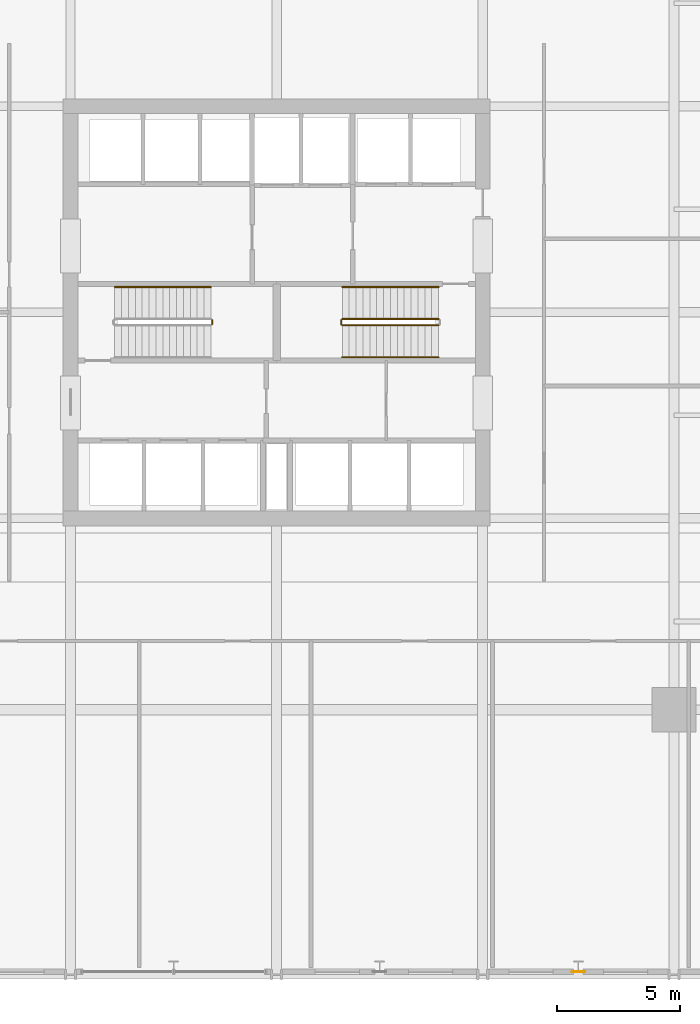
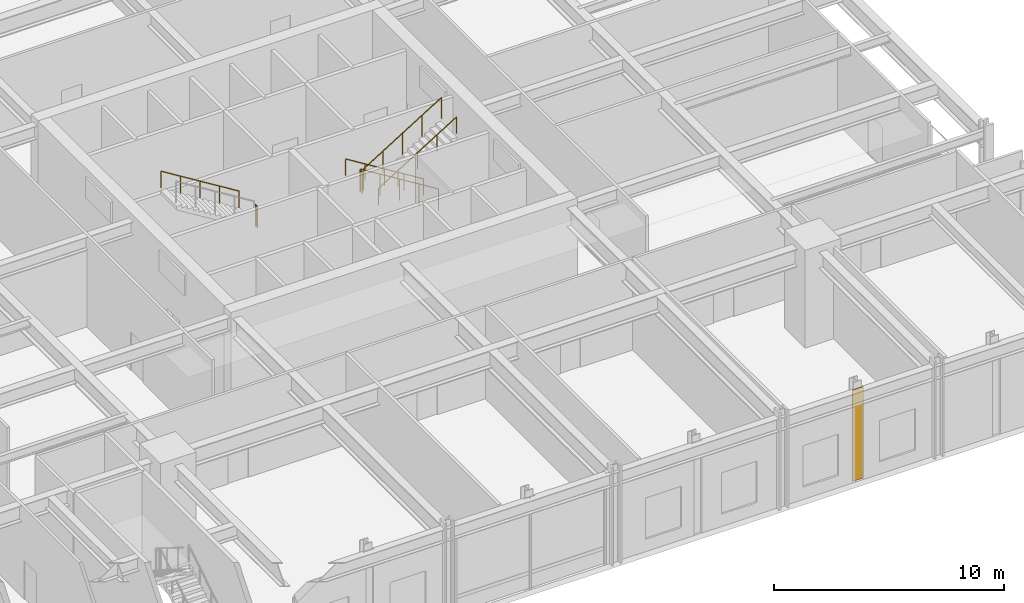
# One storey, part 17 of 21: 7 railings, 1 covering.
"""IFC4 building model written with IfcOpenShell, lengths in metres."""

import ifcopenshell
import ifcopenshell.guid

model = None  # the IFC model being written
_history = None  # IfcOwnerHistory: only IFC2X3 demands one
_inside = {}  # id of a spatial element -> (the spatial element, [elements in it])
_under = {}  # id of a project, library or spatial element -> (it, [spatial elements below it])
_declared = {}  # id of a project -> (the project, [libraries it declares])
_typed = {}  # id of a type object -> (the type object, [elements of that type])
_made_of = {}  # id of a material, layer set ... -> (it, [elements and type objects made of it])


def new_model(schema):
    """Start an empty IFC model of exactly this schema.

    Asked for "IFC4X3", IfcOpenShell would pick the latest addendum, in which some entities
    have other attributes; the version numbers below select the first issue.
    IFC2X3 requires an IfcOwnerHistory on every rooted entity: one is made here for all.
    """
    global model, _history
    if schema == "IFC4X3":
        model = ifcopenshell.file(schema_version=(4, 3, 0, 0))
    else:
        model = ifcopenshell.file(schema=schema)
    _inside.clear()
    _under.clear()
    _declared.clear()
    _typed.clear()
    _made_of.clear()
    _history = None
    if model.schema == "IFC2X3":
        org = make("IfcOrganization", Name="unknown")
        user = make(
            "IfcPersonAndOrganization",
            ThePerson=make("IfcPerson", FamilyName="unknown"),
            TheOrganization=org,
        )
        app = make(
            "IfcApplication",
            ApplicationDeveloper=org,
            Version="unknown",
            ApplicationFullName="unknown",
            ApplicationIdentifier="unknown",
        )
        _history = make(
            "IfcOwnerHistory",
            OwningUser=user,
            OwningApplication=app,
            ChangeAction="ADDED",
            CreationDate=0,
        )
    return model


def make(cls, **values):
    """One entity of the class cls with the attributes given. An attribute that is None is left unset."""
    return model.create_entity(
        cls, **{name: value for name, value in values.items() if value is not None}
    )


def rooted(cls, **values):
    """An entity with a GlobalId (a new one), such as an element, a storey or a relation."""
    return make(cls, GlobalId=ifcopenshell.guid.new(), OwnerHistory=_history, **values)


def si_unit(unit_type, name, prefix=None):
    """IfcSIUnit, for example si_unit("LENGTHUNIT", "METRE", prefix="MILLI")."""
    return make("IfcSIUnit", UnitType=unit_type, Prefix=prefix, Name=name)


def assignment(units):
    """IfcUnitAssignment: the units of a project."""
    return None if units is None else make("IfcUnitAssignment", Units=units)


def point(xyz):
    """IfcCartesianPoint."""
    return None if xyz is None else make("IfcCartesianPoint", Coordinates=xyz)


def direction(xyz):
    """IfcDirection."""
    return None if xyz is None else make("IfcDirection", DirectionRatios=xyz)


def frame(location, z_axis=None, x_axis=None):
    """IfcAxis2Placement3D, a coordinate frame: its origin and axes. An axis left out is left unset."""
    return make(
        "IfcAxis2Placement3D",
        Location=point(location),
        Axis=direction(z_axis),
        RefDirection=direction(x_axis),
    )


def frame_2d(location, x_axis=None):
    """IfcAxis2Placement2D, a coordinate frame in the plane: its origin and x axis."""
    return make(
        "IfcAxis2Placement2D", Location=point(location), RefDirection=direction(x_axis)
    )


def origin():
    """The frame at (0, 0, 0) with its axes left unset."""
    return frame((0.0, 0.0, 0.0))


def origin_2d():
    """The frame at (0, 0) in the plane with its x axis left unset."""
    return frame_2d((0.0, 0.0))


def place(relative_to, where):
    """IfcLocalPlacement: puts the frame where relative to a parent placement (None: the world)."""
    return make(
        "IfcLocalPlacement", PlacementRelTo=relative_to, RelativePlacement=where
    )


def context(
    kind, dimensions, precision=None, world=None, true_north=None, identifier=None
):
    """IfcGeometricRepresentationContext, for example the 3D "Model" context."""
    return make(
        "IfcGeometricRepresentationContext",
        ContextIdentifier=identifier,
        ContextType=kind,
        CoordinateSpaceDimension=dimensions,
        Precision=precision,
        WorldCoordinateSystem=world,
        TrueNorth=true_north,
    )


def subcontext(parent, identifier, kind, view, scale=None):
    """IfcGeometricRepresentationSubContext, for example "Body" below "Model"."""
    return make(
        "IfcGeometricRepresentationSubContext",
        ContextIdentifier=identifier,
        ContextType=kind,
        ParentContext=parent,
        TargetScale=scale,
        TargetView=view,
    )


def project(units=None, contexts=None):
    """IfcProject with its units and contexts."""
    return rooted(
        "IfcProject",
        Name="project",
        RepresentationContexts=contexts,
        UnitsInContext=assignment(units),
    )


def spatial(cls, under=None, at=None, **own):
    """A site, building, storey or space (cls), placed at a placement, below another one or the project."""
    s = rooted(cls, ObjectPlacement=at, **own)
    if under is not None:
        _under.setdefault(under.id(), (under, []))[1].append(s)
    return s


def profile(cls, at=None, kind="AREA", **sizes):
    """A parametric profile (cls). Its sizes go by their IFC names, for example OverallWidth=200.0."""
    return make(cls, ProfileType=kind, Position=at, **sizes)


def rectangle(**sizes):
    """IfcRectangleProfileDef."""
    return profile("IfcRectangleProfileDef", **sizes)


def circle(**sizes):
    """IfcCircleProfileDef."""
    return profile("IfcCircleProfileDef", **sizes)


def extrude(swept, where, along, depth):
    """IfcExtrudedAreaSolid: the profile swept, set in the frame where, extruded along a direction by depth."""
    return make(
        "IfcExtrudedAreaSolid",
        SweptArea=swept,
        Position=where,
        ExtrudedDirection=direction(along),
        Depth=depth,
    )


def shape(context_of_items, identifier, shape_type, items):
    """IfcShapeRepresentation: the items that make up one representation, for example the "Body"."""
    return make(
        "IfcShapeRepresentation",
        ContextOfItems=context_of_items,
        RepresentationIdentifier=identifier,
        RepresentationType=shape_type,
        Items=items,
    )


def material(Name=None, Category=None):
    """IfcMaterial."""
    return make("IfcMaterial", Name=Name, Category=Category)


def layer(
    of_material, thickness, ventilated=None, Name=None, Category=None, Priority=None
):
    """IfcMaterialLayer: one layer of a wall or slab, of a material (None: an air gap)."""
    return make(
        "IfcMaterialLayer",
        Material=of_material,
        LayerThickness=thickness,
        IsVentilated=ventilated,
        Name=Name,
        Category=Category,
        Priority=Priority,
    )


def layer_set(layers, Name=None):
    """IfcMaterialLayerSet."""
    return make("IfcMaterialLayerSet", MaterialLayers=layers, LayerSetName=Name)


def made_of(thing, what):
    """Note that an element or type object is made of a material, layer set ...; save() writes the relation."""
    if what is not None:
        _made_of.setdefault(what.id(), (what, []))[1].append(thing)
    return thing


def type_object(cls, material=None, **own):
    """A type object (cls), such as IfcWallType, which elements share."""
    return made_of(rooted(cls, **own), material)


def element(
    cls,
    number,
    at=None,
    inside=None,
    cuts=None,
    type_object=None,
    material=None,
    context=None,
    identifier="Body",
    shape_type=None,
    held_by="IfcProductDefinitionShape",
    body=None,
    shapes=None,
    **own,
):
    """One element of the class cls, such as IfcWall. Its Tag is "e" and its number.

    at: its placement. inside: the storey or other place that contains it. cuts: it is an
    opening in that element (IfcRelVoidsElement). A single representation is given by context,
    identifier, shape_type and body (its items); several are given by shapes. held_by: the class
    of the entity that holds the representations. save() writes the other relations.
    """
    e = rooted(cls, Tag="e%d" % number, ObjectPlacement=at, **own)
    if body is not None:
        shapes = [shape(context, identifier, shape_type, body)]
    if shapes is not None:
        e.Representation = make(held_by, Representations=shapes)
    if inside is not None:
        _inside.setdefault(inside.id(), (inside, []))[1].append(e)
    if cuts is not None:
        rooted(
            "IfcRelVoidsElement", RelatingBuildingElement=cuts, RelatedOpeningElement=e
        )
    if type_object is not None:
        _typed.setdefault(type_object.id(), (type_object, []))[1].append(e)
    return made_of(e, material)


def aggregate(whole, parts):
    """IfcRelAggregates: a whole, such as a stair, and the parts it consists of."""
    return rooted("IfcRelAggregates", RelatingObject=whole, RelatedObjects=parts)


def save(model, path):
    """Write the relations noted so far, then the file.

    IfcRelAggregates (storeys below a building ...), IfcRelContainedInSpatialStructure (elements
    in a storey), IfcRelDefinesByType, IfcRelAssociatesMaterial and IfcRelDeclares: one each for
    every whole, place, type object, material and project.
    """
    for whole, parts in _under.values():
        aggregate(whole, parts)
    for where, things in _inside.values():
        rooted(
            "IfcRelContainedInSpatialStructure",
            RelatedElements=things,
            RelatingStructure=where,
        )
    for kind, things in _typed.values():
        rooted("IfcRelDefinesByType", RelatedObjects=things, RelatingType=kind)
    for what, things in _made_of.values():
        rooted("IfcRelAssociatesMaterial", RelatedObjects=things, RelatingMaterial=what)
    for by, libraries in _declared.values():
        rooted("IfcRelDeclares", RelatingContext=by, RelatedDefinitions=libraries)
    model.write(path)


model = new_model("IFC4")

# Units and contexts
model_context = context("Model", 3, precision=1e-05, world=origin(), true_north=direction((0.0, 1.0)))
body_context = subcontext(model_context, "Body", "Model", "MODEL_VIEW")
ifc_project = project(units=[si_unit("LENGTHUNIT", "METRE"), si_unit("AREAUNIT", "SQUARE_METRE"), si_unit("VOLUMEUNIT", "CUBIC_METRE"), si_unit("PLANEANGLEUNIT", "RADIAN"), si_unit("MASSUNIT", "GRAM", prefix="KILO")], contexts=[model_context])

# Site, building, storey
site_placement = place(None, origin())
site = spatial("IfcSite", under=ifc_project, at=site_placement, CompositionType="ELEMENT")
building_placement = place(site_placement, origin())
building = spatial("IfcBuilding", under=site, at=building_placement, Name="Drelvath Grand Hotel", CompositionType="ELEMENT")
storey_placement = place(building_placement, frame((0.0, 0.0, 22.39990234375)))
storey = spatial("IfcBuildingStorey", under=building, at=storey_placement, Name="L04", CompositionType="ELEMENT", Elevation=22.39990234375)

# Covering
ifc_material_1 = material(Name="Warm Bronze Anodised Aluminium Cladding", Category="aluminium")
ifc_layer = layer(ifc_material_1, 0.034912109375)
ifc_layer_set = layer_set([ifc_layer], Name="Warm Bronze Anodised Aluminium Cladding")
covering_type = type_object("IfcCoveringType", Name="Bronze Anodised Pier Cladding Panel 35", PredefinedType="CLADDING", material=ifc_layer_set)
covering_placement = place(storey_placement, frame((12.300048828125, 0.1201171875, 0.0), z_axis=(0.0, 0.0, 1.0), x_axis=(1.0, 0.0, 0.0)))
element("IfcCovering", 1, at=covering_placement, inside=storey, type_object=covering_type, Name="L04 Colonnade Bronze Pier Cladding S4", PredefinedType="CLADDING", context=body_context, shape_type="SweptSolid", body=[
    extrude(rectangle(XDim=0.550048828125, YDim=0.034912109375, at=origin_2d()), origin(), (0.0, 0.0, 1.0), 4.85009765625),
])

# Railings
ifc_material_2 = material(Name="Painted Steel S275", Category="steel")
railing_type_1 = type_object("IfcRailingType", Name="Core Stair Wall Handrail 900", PredefinedType="HANDRAIL", material=ifc_material_2)
for number, where, name in (
    (2, (-2.679931640625, 28.030029296875, 2.7734375), "L04 ST-1 stair handrail 2"),
    (3, (6.60009765625, 28.030029296875, 0.17333984375), "L04 ST-2 stair handrail 1"),
):
    element("IfcRailing", number, at=place(storey_placement, frame(where)), inside=storey, type_object=railing_type_1, Name=name, PredefinedType="HANDRAIL", context=body_context, shape_type="SweptSolid", body=[
        extrude(circle(Radius=0.02392578125, at=origin_2d()), frame((0.0, 0.0, 0.8759765625), z_axis=(-0.850266275192, 0.0, 0.526352791643), x_axis=(0.0, -1.0, 0.0)), (0.0, 0.0, 1.0), 4.610595703125),
        extrude(circle(Radius=0.02099609375, at=origin_2d()), origin(), (0.0, 0.0, 1.0), 0.851806640625),
        extrude(circle(Radius=0.02099609375, at=origin_2d()), frame((-0.97998046875, 0.0, 0.606689453125)), (0.0, 0.0, 1.0), 0.851806640625),
        extrude(circle(Radius=0.02099609375, at=origin_2d()), frame((-1.9599609375, 0.0, 1.21337890625)), (0.0, 0.0, 1.0), 0.851806640625),
        extrude(circle(Radius=0.02099609375, at=origin_2d()), frame((-2.940185546875, 0.0, 1.820068359375)), (0.0, 0.0, 1.0), 0.851806640625),
        extrude(circle(Radius=0.02099609375, at=origin_2d()), frame((-3.920166015625, 0.0, 2.4267578125)), (0.0, 0.0, 1.0), 0.851806640625),
    ])
railing_1_placement = place(storey_placement, frame((2.679931640625, 25.169921875, 2.7734375)))
element("IfcRailing", 4, at=railing_1_placement, inside=storey, type_object=railing_type_1, Name="L04 ST-2 stair handrail 2", PredefinedType="HANDRAIL", context=body_context, shape_type="SweptSolid", body=[
    extrude(circle(Radius=0.02392578125, at=origin_2d()), frame((0.0, 0.0, 0.8759765625), z_axis=(0.850266275192, 0.0, 0.526352791643), x_axis=(0.0, 1.0, 0.0)), (0.0, 0.0, 1.0), 4.610595703125),
    extrude(circle(Radius=0.02099609375, at=origin_2d()), origin(), (0.0, 0.0, 1.0), 0.851806640625),
    extrude(circle(Radius=0.02099609375, at=origin_2d()), frame((0.97998046875, 0.0, 0.606689453125)), (0.0, 0.0, 1.0), 0.851806640625),
    extrude(circle(Radius=0.02099609375, at=origin_2d()), frame((1.9599609375, 0.0, 1.21337890625)), (0.0, 0.0, 1.0), 0.851806640625),
    extrude(circle(Radius=0.02099609375, at=origin_2d()), frame((2.940185546875, 0.0, 1.820068359375)), (0.0, 0.0, 1.0), 0.851806640625),
    extrude(circle(Radius=0.02099609375, at=origin_2d()), frame((3.920166015625, 0.0, 2.4267578125)), (0.0, 0.0, 1.0), 0.851806640625),
])
railing_type_2 = type_object("IfcRailingType", Name="Core Stair Well Guardrail 1100", PredefinedType="GUARDRAIL", material=ifc_material_2)
railing_2_placement = place(storey_placement, frame((-2.6298828125, 26.52001953125, 2.60009765625)))
element("IfcRailing", 5, at=railing_2_placement, inside=storey, type_object=railing_type_2, Name="L04 ST-1 stair guard 2", PredefinedType="GUARDRAIL", context=body_context, shape_type="SweptSolid", body=[
    extrude(circle(Radius=0.02392578125, at=origin_2d()), frame((0.0, 0.0, 1.1259765625), z_axis=(0.0, 1.0, 0.0), x_axis=(-1.0, 0.0, 0.0)), (0.0, 0.0, 1.0), 0.159912109375),
    extrude(circle(Radius=0.02099609375, at=origin_2d()), origin(), (0.0, 0.0, 1.0), 1.101806640625),
    extrude(circle(Radius=0.02099609375, at=origin_2d()), frame((0.0, 0.159912109375, 0.0)), (0.0, 0.0, 1.0), 1.101806640625),
])
railing_3_placement = place(storey_placement, frame((6.60009765625, 26.72998046875, 0.17333984375)))
element("IfcRailing", 6, at=railing_3_placement, inside=storey, type_object=railing_type_2, Name="L04 ST-2 stair guard 1", PredefinedType="GUARDRAIL", context=body_context, shape_type="SweptSolid", body=[
    extrude(circle(Radius=0.02392578125, at=origin_2d()), frame((0.0, 0.0, 1.1259765625), z_axis=(-0.850266275192, 0.0, 0.526352791643), x_axis=(0.0, -1.0, 0.0)), (0.0, 0.0, 1.0), 4.610595703125),
    extrude(circle(Radius=0.02099609375, at=origin_2d()), origin(), (0.0, 0.0, 1.0), 1.101806640625),
    extrude(circle(Radius=0.02099609375, at=origin_2d()), frame((-0.97998046875, 0.0, 0.606689453125)), (0.0, 0.0, 1.0), 1.101806640625),
    extrude(circle(Radius=0.02099609375, at=origin_2d()), frame((-1.9599609375, 0.0, 1.21337890625)), (0.0, 0.0, 1.0), 1.101806640625),
    extrude(circle(Radius=0.02099609375, at=origin_2d()), frame((-2.940185546875, 0.0, 1.820068359375)), (0.0, 0.0, 1.0), 1.101806640625),
    extrude(circle(Radius=0.02099609375, at=origin_2d()), frame((-3.920166015625, 0.0, 2.4267578125)), (0.0, 0.0, 1.0), 1.101806640625),
])
railing_4_placement = place(storey_placement, frame((2.6298828125, 26.679931640625, 2.60009765625)))
element("IfcRailing", 7, at=railing_4_placement, inside=storey, type_object=railing_type_2, Name="L04 ST-2 stair guard 2", PredefinedType="GUARDRAIL", context=body_context, shape_type="SweptSolid", body=[
    extrude(circle(Radius=0.02392578125, at=origin_2d()), frame((0.0, 0.0, 1.1259765625), z_axis=(0.0, -1.0, 0.0), x_axis=(1.0, 0.0, 0.0)), (0.0, 0.0, 1.0), 0.159912109375),
    extrude(circle(Radius=0.02099609375, at=origin_2d()), origin(), (0.0, 0.0, 1.0), 1.101806640625),
    extrude(circle(Radius=0.02099609375, at=origin_2d()), frame((0.0, -0.159912109375, 0.0)), (0.0, 0.0, 1.0), 1.101806640625),
])
railing_5_placement = place(storey_placement, frame((2.679931640625, 26.469970703125, 2.7734375)))
element("IfcRailing", 8, at=railing_5_placement, inside=storey, type_object=railing_type_2, Name="L04 ST-2 stair guard 3", PredefinedType="GUARDRAIL", context=body_context, shape_type="SweptSolid", body=[
    extrude(circle(Radius=0.02392578125, at=origin_2d()), frame((0.0, 0.0, 1.1259765625), z_axis=(0.850266275192, 0.0, 0.526352791643), x_axis=(0.0, 1.0, 0.0)), (0.0, 0.0, 1.0), 4.610595703125),
    extrude(circle(Radius=0.02099609375, at=origin_2d()), origin(), (0.0, 0.0, 1.0), 1.101806640625),
    extrude(circle(Radius=0.02099609375, at=origin_2d()), frame((0.97998046875, 0.0, 0.606689453125)), (0.0, 0.0, 1.0), 1.101806640625),
    extrude(circle(Radius=0.02099609375, at=origin_2d()), frame((1.9599609375, 0.0, 1.21337890625)), (0.0, 0.0, 1.0), 1.101806640625),
    extrude(circle(Radius=0.02099609375, at=origin_2d()), frame((2.940185546875, 0.0, 1.820068359375)), (0.0, 0.0, 1.0), 1.101806640625),
    extrude(circle(Radius=0.02099609375, at=origin_2d()), frame((3.920166015625, 0.0, 2.4267578125)), (0.0, 0.0, 1.0), 1.101806640625),
])

save(model, "model.ifc")
